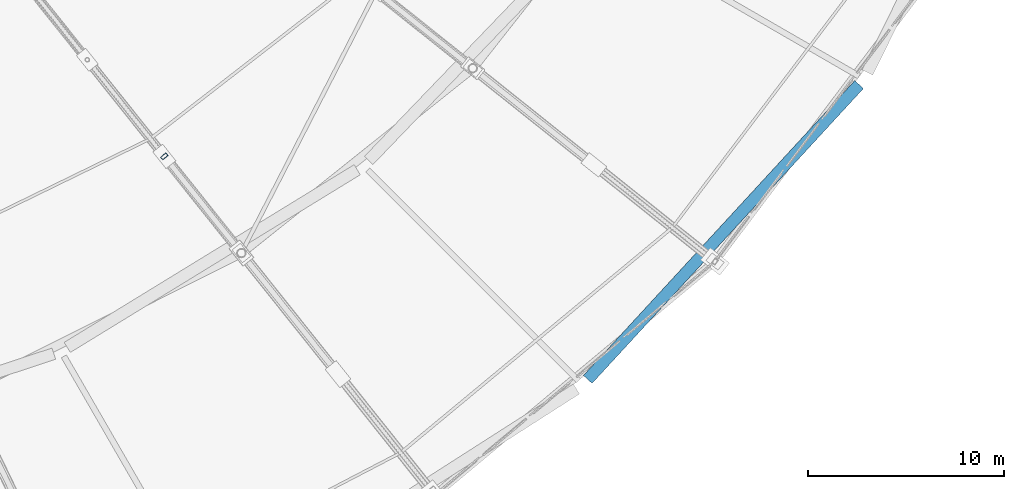
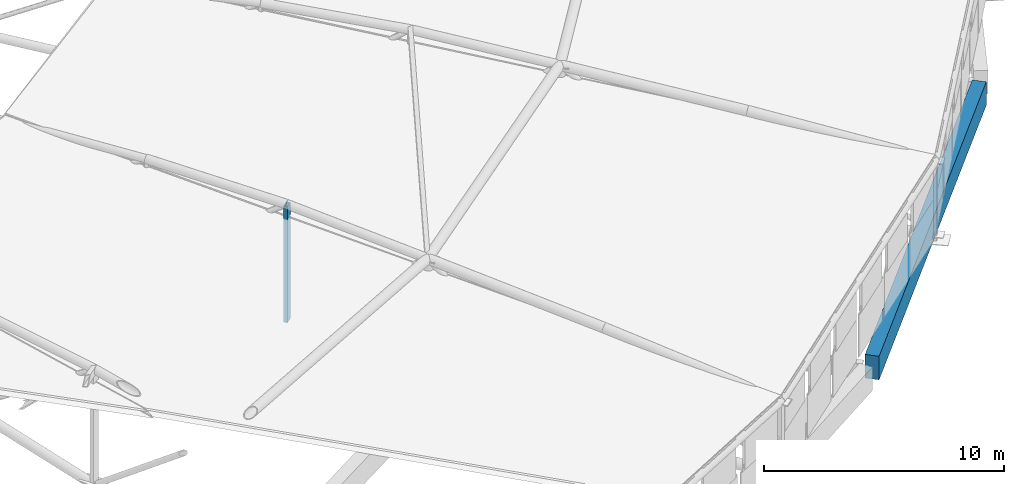
# One storey, part 61 of 108: 1 beam, 1 member.
"""IFC4 building model written with IfcOpenShell, lengths in metres."""

from ifc_helpers import new_model, si_unit, direction, frame, origin, origin_2d, place, context, subcontext, project, spatial, rectangle, hollow_rectangle, extrude, material, material_profile, profile_set, type_object, element, save


model = new_model("IFC4")

# Units and contexts
model_context = context("Model", 3, precision=1e-05, world=origin(), true_north=direction((0.0, 1.0)))
body_context = subcontext(model_context, "Body", "Model", "MODEL_VIEW")
ifc_project = project(units=[si_unit("LENGTHUNIT", "METRE"), si_unit("AREAUNIT", "SQUARE_METRE"), si_unit("VOLUMEUNIT", "CUBIC_METRE"), si_unit("PLANEANGLEUNIT", "RADIAN"), si_unit("MASSUNIT", "GRAM", prefix="KILO")], contexts=[model_context])

# Site, building, storey
site_placement = place(None, origin())
site = spatial("IfcSite", under=ifc_project, at=site_placement, CompositionType="ELEMENT")
building_placement = place(site_placement, origin())
building = spatial("IfcBuilding", under=site, at=building_placement, Name="Zevraka Park Crest Stadium", CompositionType="ELEMENT")
storey_placement = place(building_placement, frame((0.0, 0.0, 29.39990234375)))
storey = spatial("IfcBuildingStorey", under=building, at=storey_placement, Name="RF", CompositionType="ELEMENT", Elevation=29.39990234375)

# Beam
ifc_material_1 = material(Name="Concrete C40/50", Category="concrete")
ifc_material_profile_1 = material_profile(ifc_material_1, rectangle(XDim=0.60009765625, YDim=1.199951171875, at=origin_2d()), Name="RC 1200x600")
ifc_profile_set_1 = profile_set([ifc_material_profile_1], Name="Concrete C40/50")
beam_type = type_object("IfcBeamType", Name="RB01", PredefinedType="BEAM", material=ifc_profile_set_1)
beam_placement = place(storey_placement, frame((176.10888671875, 39.034912109375, -0.599853515625), z_axis=(0.677158252403, 0.735837414924, 0.0), x_axis=(-0.735837414924, 0.677158252403, 0.0)))
element("IfcBeam", 1, at=beam_placement, inside=storey, type_object=beam_type, Name="Ring Beam RB01 RF-D-21", PredefinedType="BEAM", context=body_context, shape_type="SweptSolid", body=[
    extrude(rectangle(XDim=0.60009765625, YDim=1.199951171875, at=origin_2d()), origin(), (0.0, 0.0, 1.0), 20.4326171875),
])

# Member
ifc_material_2 = material(Name="Steel S355", Category="steel")
ifc_material_profile_2 = material_profile(ifc_material_2, hollow_rectangle(XDim=0.175048828125, YDim=0.35009765625, WallThickness=0.012451171875, at=origin_2d()), Name="RHS 350x175x12.5")
ifc_profile_set_2 = profile_set([ifc_material_profile_2], Name="Steel S355")
member_type = type_object("IfcMemberType", Name="WB09", PredefinedType="BRACE", material=ifc_profile_set_2)
member_placement = place(storey_placement, frame((154.52197265625, 50.406982421875, 2.4501953125), z_axis=(0.0, 0.0, 1.0), x_axis=(-0.623470308046, 0.781847027868, 0.0)))
element("IfcMember", 2, at=member_placement, inside=storey, type_object=member_type, Name="Roof Truss Web Post WB09 T25-3", PredefinedType="BRACE", context=body_context, shape_type="SweptSolid", body=[
    extrude(hollow_rectangle(XDim=0.175048828125, YDim=0.35009765625, WallThickness=0.012451171875, at=origin_2d()), origin(), (0.0, 0.0, 1.0), 5.89990234375),
])

save(model, "model.ifc")
